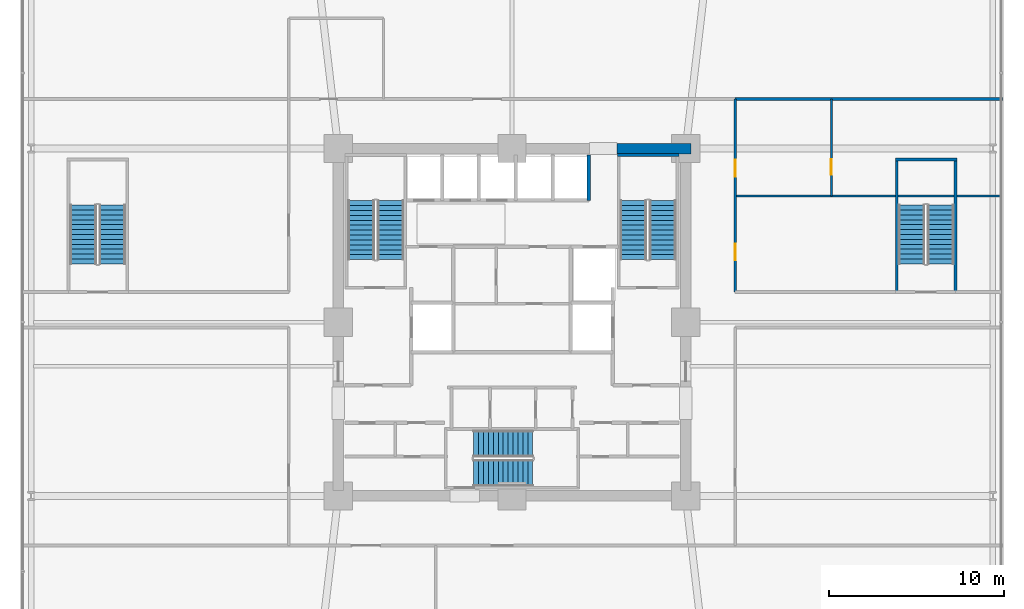
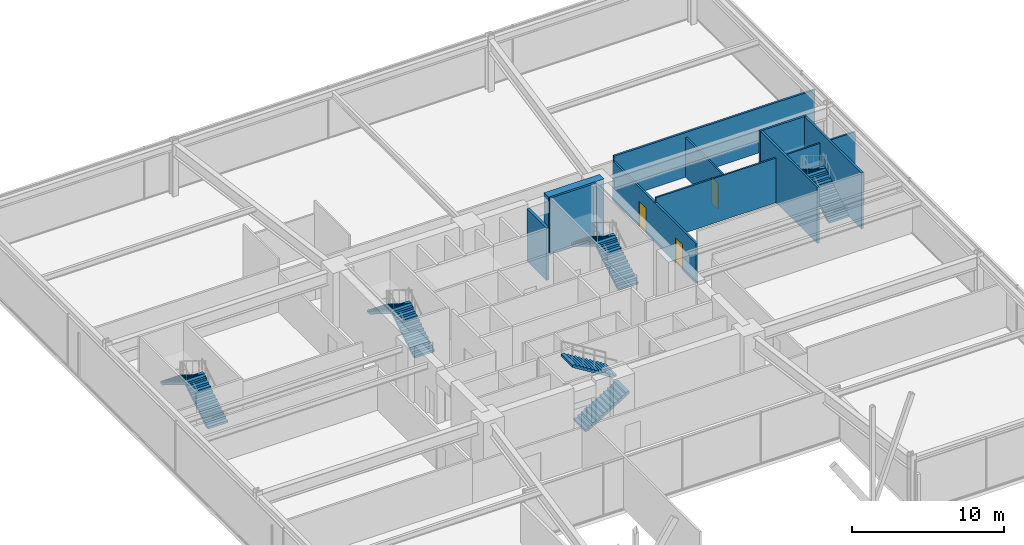
# One storey, part 43 of 47: 10 stair flights, 10 walls, 3 doors, 3 openings, 5 elements without a shape of their own.
"""IFC4 building model written with IfcOpenShell, lengths in metres."""

from ifc_helpers import new_model, si_unit, direction, frame, frame_2d, origin, place, context, subcontext, project, spatial, polyline, rectangle, outline, extrude, material, layer, layer_set, type_object, element, fill, aggregate, save


model = new_model("IFC4")

# Units and contexts
model_context = context("Model", 3, precision=1e-05, world=origin(), true_north=direction((0.0, 1.0)))
body_context = subcontext(model_context, "Body", "Model", "MODEL_VIEW")
ifc_project = project(units=[si_unit("LENGTHUNIT", "METRE"), si_unit("AREAUNIT", "SQUARE_METRE"), si_unit("VOLUMEUNIT", "CUBIC_METRE"), si_unit("PLANEANGLEUNIT", "RADIAN"), si_unit("MASSUNIT", "GRAM", prefix="KILO")], contexts=[model_context])

# Site, building, storey
site_placement = place(None, origin())
site = spatial("IfcSite", under=ifc_project, at=site_placement, CompositionType="ELEMENT")
building_placement = place(site_placement, origin())
building = spatial("IfcBuilding", under=site, at=building_placement, Name="Kolvaren Belvedere", CompositionType="ELEMENT")
storey_placement = place(building_placement, frame((0.0, 0.0, 5.5)))
storey = spatial("IfcBuildingStorey", under=building, at=storey_placement, Name="L02", CompositionType="ELEMENT", Elevation=5.5)

# Walls
ifc_material_1 = material(Name="Concrete C60/75", Category="concrete")
ifc_layer_1 = layer(ifc_material_1, 0.60009765625)
ifc_layer_set_1 = layer_set([ifc_layer_1], Name="Concrete C60/75")
wall_type_1 = type_object("IfcWallType", Name="CW-CORE-600", PredefinedType="SHEAR", material=ifc_layer_set_1)
wall_1_placement = place(storey_placement, frame((5.97998046875, 9.89990234375, 0.0), z_axis=(0.0, 0.0, 1.0), x_axis=(1.0, 0.0, 0.0)))
element("IfcWall", 1, at=wall_1_placement, inside=storey, type_object=wall_type_1, Name="L02 North Core Shear Wall 2", PredefinedType="SHEAR", context=body_context, shape_type="SweptSolid", body=[
    extrude(rectangle(XDim=4.219970703125, YDim=0.60009765625, at=frame_2d((2.10986328125, 0.0))), origin(), (0.0, 0.0, 1.0), 4.5),
])
ifc_material_2 = material(Name="Concrete C50/60", Category="concrete")
ifc_layer_2 = layer(ifc_material_2, 0.159912109375)
ifc_layer_set_2 = layer_set([ifc_layer_2], Name="Concrete C50/60")
wall_type_2 = type_object("IfcWallType", Name="CW-STAIR-160", PredefinedType="SHEAR", material=ifc_layer_set_2)
wall_2_placement = place(storey_placement, frame((6.0, 9.530029296875, 0.0), z_axis=(0.0, 0.0, 1.0), x_axis=(1.0, 0.0, 0.0)))
element("IfcWall", 2, at=wall_2_placement, inside=storey, type_object=wall_type_2, Name="L02 Stair ST-2 North Shear Wall", PredefinedType="SHEAR", context=body_context, shape_type="SweptSolid", body=[
    extrude(rectangle(XDim=3.52001953125, YDim=0.159912109375, at=frame_2d((1.760009765625, 0.0))), origin(), (0.0, 0.0, 1.0), 4.5),
])
wall_3_placement = place(storey_placement, frame((21.85009765625, 9.280029296875, 0.0), z_axis=(0.0, 0.0, 1.0), x_axis=(1.0, 0.0, 0.0)))
element("IfcWall", 3, at=wall_3_placement, inside=storey, type_object=wall_type_2, Name="L02 Stair ST-P2 North Shear Wall", PredefinedType="SHEAR", context=body_context, shape_type="SweptSolid", body=[
    extrude(rectangle(XDim=3.510009765625, YDim=0.159912109375, at=frame_2d((1.7548828125, 0.0))), origin(), (0.0, 0.0, 1.0), 4.5),
])
for number, where, z_axis, x_axis, name in (
    (4, (21.929931640625, 1.719970703125, 0.0), (0.0, 0.0, 1.0), (0.0, 1.0, 0.0), "L02 Stair ST-P2 West Shear Wall"),
    (5, (25.280029296875, 1.719970703125, 0.0), (0.0, 0.0, 1.0), (0.0, 1.0, 0.0), "L02 Stair ST-P2 East Shear Wall"),
):
    element("IfcWall", number, at=place(storey_placement, frame(where, z_axis=z_axis, x_axis=x_axis)), inside=storey, type_object=wall_type_2, Name=name, PredefinedType="SHEAR", context=body_context, shape_type="SweptSolid", body=[
        extrude(rectangle(XDim=7.56005859375, YDim=0.159912109375, at=frame_2d((3.780029296875, 0.0))), origin(), (0.0, 0.0, 1.0), 4.5),
    ])

# Wall, openings, doors
ifc_material_3 = material(Name="Gypsum fire-rated partition assembly", Category="gypsum")
ifc_layer_3 = layer(ifc_material_3, 0.14990234375)
ifc_layer_set_3 = layer_set([ifc_layer_3], Name="Gypsum fire-rated partition assembly")
wall_type_3 = type_object("IfcWallType", Name="WL-CORR-150", PredefinedType="PARTITIONING", material=ifc_layer_set_3)
wall_4_placement = place(storey_placement, frame((12.719970703125, 1.719970703125, 0.0), z_axis=(0.0, 0.0, 1.0), x_axis=(0.0, 1.0, 0.0)))
wall_4 = element("IfcWall", 6, at=wall_4_placement, inside=storey, type_object=wall_type_3, Name="L02 East Corridor Wall N", PredefinedType="PARTITIONING", context=body_context, shape_type="SweptSolid", body=[
    extrude(rectangle(XDim=11.0, YDim=0.14990234375, at=frame_2d((5.5, 0.0))), origin(), (0.0, 0.0, 1.0), 3.194091796875),
])
opening_1_placement = place(wall_4_placement, frame((6.580078125, 0.0, 0.0)))
opening_1 = element("IfcOpeningElement", 7, at=opening_1_placement, cuts=wall_4, Name="Opening D-INT95", PredefinedType="OPENING", context=body_context, shape_type="SweptSolid", body=[
    extrude(rectangle(XDim=0.949951171875, YDim=2.06005859375, at=frame_2d((0.47509765625, 1.030029296875))), frame((0.0, 0.0849609375, 0.0), z_axis=(0.0, -1.0, 0.0), x_axis=(1.0, 0.0, 0.0)), (0.0, 0.0, 1.0), 0.169921875),
])
opening_2_placement = place(wall_4_placement, frame((1.800048828125, 0.0, 0.0)))
opening_2 = element("IfcOpeningElement", 8, at=opening_2_placement, cuts=wall_4, Name="Opening D-INT95", PredefinedType="OPENING", context=body_context, shape_type="SweptSolid", body=[
    extrude(rectangle(XDim=0.949951171875, YDim=2.06005859375, at=frame_2d((0.47509765625, 1.030029296875))), frame((0.0, 0.0849609375, 0.0), z_axis=(0.0, -1.0, 0.0), x_axis=(1.0, 0.0, 0.0)), (0.0, 0.0, 1.0), 0.169921875),
])
ifc_material_4 = material(Name="Stained Pacific white oak", Category="timber")
door_type_1 = type_object("IfcDoorType", Name="DR-INT-950", OperationType="NOTDEFINED", PredefinedType="DOOR", material=ifc_material_4)
door_1_placement = place(opening_1_placement, origin())
door_1 = element("IfcDoor", 9, at=door_1_placement, inside=storey, type_object=door_type_1, Name="L02 Public Mezzanine Washroom Door", OperationType="SINGLE_SWING_RIGHT", OverallHeight=2.06005859375, OverallWidth=0.949951171875, PredefinedType="DOOR", context=body_context, shape_type="SweptSolid", body=[
    extrude(rectangle(XDim=0.949951171875, YDim=2.06005859375, at=frame_2d((0.47509765625, 1.030029296875))), frame((0.0, 0.02490234375, 0.0), z_axis=(0.0, -1.0, 0.0), x_axis=(1.0, 0.0, 0.0)), (0.0, 0.0, 1.0), 0.050048828125),
])
fill(opening_1, door_1)
door_2_placement = place(opening_2_placement, origin())
door_2 = element("IfcDoor", 10, at=door_2_placement, inside=storey, type_object=door_type_1, Name="L02 East Reception Lounge Door", OperationType="SINGLE_SWING_LEFT", OverallHeight=2.06005859375, OverallWidth=0.949951171875, PredefinedType="DOOR", context=body_context, shape_type="SweptSolid", body=[
    extrude(rectangle(XDim=0.949951171875, YDim=2.06005859375, at=frame_2d((0.47509765625, 1.030029296875))), frame((0.0, 0.02490234375, 0.0), z_axis=(0.0, -1.0, 0.0), x_axis=(1.0, 0.0, 0.0)), (0.0, 0.0, 1.0), 0.050048828125),
])
fill(opening_2, door_2)

# Walls
wall_5_placement = place(storey_placement, frame((12.719970703125, 12.719970703125, 0.0), z_axis=(0.0, 0.0, 1.0), x_axis=(1.0, 0.0, 0.0)))
element("IfcWall", 11, at=wall_5_placement, inside=storey, type_object=wall_type_3, Name="L02 Sector Wall PW-L02-QNE", PredefinedType="PARTITIONING", context=body_context, shape_type="SweptSolid", body=[
    extrude(rectangle(XDim=15.260009765625, YDim=0.14990234375, at=frame_2d((7.6298828125, 0.0))), origin(), (0.0, 0.0, 1.0), 3.589111328125),
])
ifc_material_5 = material(Name="Concrete C50/60", Category="concrete")
ifc_layer_4 = layer(ifc_material_5, 0.199951171875)
ifc_layer_set_4 = layer_set([ifc_layer_4], Name="Concrete C50/60")
wall_type_4 = type_object("IfcWallType", Name="WL-SHAFT-200", PredefinedType="SOLIDWALL", material=ifc_layer_set_4)
wall_6_placement = place(storey_placement, frame((4.3798828125, 6.949951171875, 0.0), z_axis=(0.0, 0.0, 1.0), x_axis=(0.0, 1.0, 0.0)))
element("IfcWall", 12, at=wall_6_placement, inside=storey, type_object=wall_type_4, Name="L02 Express Shuttle East Wall", PredefinedType="SOLIDWALL", context=body_context, shape_type="SweptSolid", body=[
    extrude(rectangle(XDim=2.570068359375, YDim=0.199951171875, at=frame_2d((1.28515625, 0.0))), origin(), (0.0, 0.0, 1.0), 4.219970703125),
])
ifc_material_6 = material(Name="Moisture-resistant gypsum partition", Category="gypsum")
ifc_layer_5 = layer(ifc_material_6, 0.125)
ifc_layer_set_5 = layer_set([ifc_layer_5], Name="Moisture-resistant gypsum partition")
wall_type_5 = type_object("IfcWallType", Name="WL-WET-125", PredefinedType="PARTITIONING", material=ifc_layer_set_5)
wall_7_placement = place(storey_placement, frame((12.719970703125, 7.199951171875, 0.0), z_axis=(0.0, 0.0, 1.0), x_axis=(1.0, 0.0, 0.0)))
element("IfcWall", 13, at=wall_7_placement, inside=storey, type_object=wall_type_5, Name="L02 East Washroom Wall", PredefinedType="PARTITIONING", context=body_context, shape_type="SweptSolid", body=[
    extrude(rectangle(XDim=15.159912109375, YDim=0.125, at=frame_2d((7.580078125, 0.0))), origin(), (0.0, 0.0, 1.0), 3.589111328125),
])

# Wall, opening, door
wall_8_placement = place(storey_placement, frame((18.199951171875, 7.199951171875, 0.0), z_axis=(0.0, 0.0, 1.0), x_axis=(0.0, 1.0, 0.0)))
wall_8 = element("IfcWall", 14, at=wall_8_placement, inside=storey, type_object=wall_type_5, Name="L02 East Washroom Back Wall", PredefinedType="PARTITIONING", context=body_context, shape_type="SweptSolid", body=[
    extrude(rectangle(XDim=5.52001953125, YDim=0.125, at=frame_2d((2.760009765625, 0.0))), origin(), (0.0, 0.0, 1.0), 3.194091796875),
])
opening_3_placement = place(wall_8_placement, frame((1.199951171875, 0.0, 0.0)))
opening_3 = element("IfcOpeningElement", 15, at=opening_3_placement, cuts=wall_8, Name="Opening D-INT90", PredefinedType="OPENING", context=body_context, shape_type="SweptSolid", body=[
    extrude(rectangle(XDim=0.89990234375, YDim=2.06005859375, at=frame_2d((0.449951171875, 1.030029296875))), frame((0.0, 0.072509765625, 0.0), z_axis=(0.0, -1.0, 0.0), x_axis=(1.0, 0.0, 0.0)), (0.0, 0.0, 1.0), 0.14501953125),
])
ifc_material_7 = material(Name="Stained Pacific white oak", Category="timber")
door_type_2 = type_object("IfcDoorType", Name="DR-INT-900", OperationType="NOTDEFINED", PredefinedType="DOOR", material=ifc_material_7)
door_3_placement = place(opening_3_placement, origin())
door_3 = element("IfcDoor", 16, at=door_3_placement, inside=storey, type_object=door_type_2, Name="L02 Hospitality Service Pantry Door", OperationType="SINGLE_SWING_LEFT", OverallHeight=2.06005859375, OverallWidth=0.89990234375, PredefinedType="DOOR", context=body_context, shape_type="SweptSolid", body=[
    extrude(rectangle(XDim=0.89990234375, YDim=2.06005859375, at=frame_2d((0.449951171875, 1.030029296875))), frame((0.0, 0.02490234375, 0.0), z_axis=(0.0, -1.0, 0.0), x_axis=(1.0, 0.0, 0.0)), (0.0, 0.0, 1.0), 0.050048828125),
])
fill(opening_3, door_3)

# Stair, stair flights
ifc_material_8 = material(Name="Concrete C50/60", Category="concrete")
stair_type_1 = type_object("IfcStairType", Name="ST-CORE-1520", PredefinedType="HALF_TURN_STAIR", material=ifc_material_8)
stair_1_placement = place(storey_placement, origin())
stair_1 = element("IfcStair", 17, at=stair_1_placement, inside=storey, type_object=stair_type_1, Name="L02 Protected Exit Stair ST-1", PredefinedType="HALF_TURN_STAIR")
ifc_material_9 = material(Name="Concrete C50/60", Category="concrete")
stair_flight_type = type_object("IfcStairFlightType", Name="SF-STR-1520", PredefinedType="STRAIGHT", material=ifc_material_9)
stair_flight_1_placement = place(storey_placement, frame((-6.919921875, 3.570068359375, 0.0), z_axis=(0.0, 0.0, 1.0), x_axis=(0.0, 1.0, 0.0)))
stair_flight_1 = element("IfcStairFlight", 18, at=stair_flight_1_placement, type_object=stair_flight_type, Name="ST-1 flight 1", NumberOfRisers=13, NumberOfTreads=12, PredefinedType="STRAIGHT", RiserHeight=0.173076923, TreadLength=0.28, context=body_context, shape_type="SweptSolid", body=[
    extrude(outline(polyline([(0.0, 0.0), (0.0, 0.173095703125), (0.280029296875, 0.173095703125), (0.280029296875, 0.34619140625), (0.56005859375, 0.34619140625), (0.56005859375, 0.519287109375), (0.840087890625, 0.519287109375), (0.840087890625, 0.6923828125), (1.1201171875, 0.6923828125), (1.1201171875, 0.865478515625), (1.39990234375, 0.865478515625), (1.39990234375, 1.03857421875), (1.679931640625, 1.03857421875), (1.679931640625, 1.21142578125), (1.9599609375, 1.21142578125), (1.9599609375, 1.384521484375), (2.239990234375, 1.384521484375), (2.239990234375, 1.5576171875), (2.52001953125, 1.5576171875), (2.52001953125, 1.730712890625), (2.800048828125, 1.730712890625), (2.800048828125, 1.90380859375), (3.080078125, 1.90380859375), (3.080078125, 2.076904296875), (3.360107421875, 2.076904296875), (3.360107421875, 2.25), (3.360107421875, 1.900634765625), (0.28515625, 0.0), (0.0, 0.0)])), frame((0.0, 0.760009765625, 0.0), z_axis=(0.0, -1.0, 0.0), x_axis=(1.0, 0.0, 0.0)), (0.0, 0.0, 1.0), 1.52001953125),
])
stair_flight_2_placement = place(storey_placement, frame((-8.590087890625, 6.929931640625, 2.25), z_axis=(0.0, 0.0, 1.0), x_axis=(0.0, -1.0, 0.0)))
stair_flight_2 = element("IfcStairFlight", 19, at=stair_flight_2_placement, type_object=stair_flight_type, Name="ST-1 flight 2", NumberOfRisers=13, NumberOfTreads=12, PredefinedType="STRAIGHT", RiserHeight=0.173076923, TreadLength=0.28, context=body_context, shape_type="SweptSolid", body=[
    extrude(outline(polyline([(0.0, 0.0), (0.0, 0.173095703125), (0.280029296875, 0.173095703125), (0.280029296875, 0.34619140625), (0.56005859375, 0.34619140625), (0.56005859375, 0.519287109375), (0.840087890625, 0.519287109375), (0.840087890625, 0.6923828125), (1.1201171875, 0.6923828125), (1.1201171875, 0.865478515625), (1.39990234375, 0.865478515625), (1.39990234375, 1.03857421875), (1.679931640625, 1.03857421875), (1.679931640625, 1.21142578125), (1.9599609375, 1.21142578125), (1.9599609375, 1.384521484375), (2.239990234375, 1.384521484375), (2.239990234375, 1.5576171875), (2.52001953125, 1.5576171875), (2.52001953125, 1.730712890625), (2.800048828125, 1.730712890625), (2.800048828125, 1.90380859375), (3.080078125, 1.90380859375), (3.080078125, 2.076904296875), (3.360107421875, 2.076904296875), (3.360107421875, 2.25), (3.360107421875, 1.900634765625), (0.28515625, 0.0), (0.0, 0.0)])), frame((0.0, 0.760009765625, 0.0), z_axis=(0.0, -1.0, 0.0), x_axis=(1.0, 0.0, 0.0)), (0.0, 0.0, 1.0), 1.52001953125),
])
aggregate(stair_1, [stair_flight_1, stair_flight_2])

stair_2_placement = place(storey_placement, origin())
stair_2 = element("IfcStair", 20, at=stair_2_placement, inside=storey, type_object=stair_type_1, Name="L02 Protected Exit Stair ST-2", PredefinedType="HALF_TURN_STAIR")
stair_flight_3_placement = place(storey_placement, frame((8.590087890625, 3.570068359375, 0.0), z_axis=(0.0, 0.0, 1.0), x_axis=(0.0, 1.0, 0.0)))
stair_flight_3 = element("IfcStairFlight", 21, at=stair_flight_3_placement, type_object=stair_flight_type, Name="ST-2 flight 1", NumberOfRisers=13, NumberOfTreads=12, PredefinedType="STRAIGHT", RiserHeight=0.173076923, TreadLength=0.28, context=body_context, shape_type="SweptSolid", body=[
    extrude(outline(polyline([(0.0, 0.0), (0.0, 0.173095703125), (0.280029296875, 0.173095703125), (0.280029296875, 0.34619140625), (0.56005859375, 0.34619140625), (0.56005859375, 0.519287109375), (0.840087890625, 0.519287109375), (0.840087890625, 0.6923828125), (1.1201171875, 0.6923828125), (1.1201171875, 0.865478515625), (1.39990234375, 0.865478515625), (1.39990234375, 1.03857421875), (1.679931640625, 1.03857421875), (1.679931640625, 1.21142578125), (1.9599609375, 1.21142578125), (1.9599609375, 1.384521484375), (2.239990234375, 1.384521484375), (2.239990234375, 1.5576171875), (2.52001953125, 1.5576171875), (2.52001953125, 1.730712890625), (2.800048828125, 1.730712890625), (2.800048828125, 1.90380859375), (3.080078125, 1.90380859375), (3.080078125, 2.076904296875), (3.360107421875, 2.076904296875), (3.360107421875, 2.25), (3.360107421875, 1.900634765625), (0.28515625, 0.0), (0.0, 0.0)])), frame((0.0, 0.760009765625, 0.0), z_axis=(0.0, -1.0, 0.0), x_axis=(1.0, 0.0, 0.0)), (0.0, 0.0, 1.0), 1.52001953125),
])
stair_flight_4_placement = place(storey_placement, frame((6.919921875, 6.929931640625, 2.25), z_axis=(0.0, 0.0, 1.0), x_axis=(0.0, -1.0, 0.0)))
stair_flight_4 = element("IfcStairFlight", 22, at=stair_flight_4_placement, type_object=stair_flight_type, Name="ST-2 flight 2", NumberOfRisers=13, NumberOfTreads=12, PredefinedType="STRAIGHT", RiserHeight=0.173076923, TreadLength=0.28, context=body_context, shape_type="SweptSolid", body=[
    extrude(outline(polyline([(0.0, 0.0), (0.0, 0.173095703125), (0.280029296875, 0.173095703125), (0.280029296875, 0.34619140625), (0.56005859375, 0.34619140625), (0.56005859375, 0.519287109375), (0.840087890625, 0.519287109375), (0.840087890625, 0.6923828125), (1.1201171875, 0.6923828125), (1.1201171875, 0.865478515625), (1.39990234375, 0.865478515625), (1.39990234375, 1.03857421875), (1.679931640625, 1.03857421875), (1.679931640625, 1.21142578125), (1.9599609375, 1.21142578125), (1.9599609375, 1.384521484375), (2.239990234375, 1.384521484375), (2.239990234375, 1.5576171875), (2.52001953125, 1.5576171875), (2.52001953125, 1.730712890625), (2.800048828125, 1.730712890625), (2.800048828125, 1.90380859375), (3.080078125, 1.90380859375), (3.080078125, 2.076904296875), (3.360107421875, 2.076904296875), (3.360107421875, 2.25), (3.360107421875, 1.900634765625), (0.28515625, 0.0), (0.0, 0.0)])), frame((0.0, 0.760009765625, 0.0), z_axis=(0.0, -1.0, 0.0), x_axis=(1.0, 0.0, 0.0)), (0.0, 0.0, 1.0), 1.52001953125),
])
aggregate(stair_2, [stair_flight_3, stair_flight_4])

stair_3_placement = place(storey_placement, origin())
stair_3 = element("IfcStair", 23, at=stair_3_placement, inside=storey, type_object=stair_type_1, Name="L02 Protected Exit Stair ST-3", PredefinedType="HALF_TURN_STAIR")
stair_flight_5_placement = place(storey_placement, frame((-2.179931640625, -8.590087890625, 0.0), z_axis=(0.0, 0.0, 1.0), x_axis=(1.0, 0.0, 0.0)))
stair_flight_5 = element("IfcStairFlight", 24, at=stair_flight_5_placement, type_object=stair_flight_type, Name="ST-3 flight 1", NumberOfRisers=13, NumberOfTreads=12, PredefinedType="STRAIGHT", RiserHeight=0.173076923, TreadLength=0.28, context=body_context, shape_type="SweptSolid", body=[
    extrude(outline(polyline([(0.0, 0.0), (0.0, 0.173095703125), (0.280029296875, 0.173095703125), (0.280029296875, 0.34619140625), (0.56005859375, 0.34619140625), (0.56005859375, 0.519287109375), (0.840087890625, 0.519287109375), (0.840087890625, 0.6923828125), (1.1201171875, 0.6923828125), (1.1201171875, 0.865478515625), (1.39990234375, 0.865478515625), (1.39990234375, 1.03857421875), (1.679931640625, 1.03857421875), (1.679931640625, 1.21142578125), (1.9599609375, 1.21142578125), (1.9599609375, 1.384521484375), (2.239990234375, 1.384521484375), (2.239990234375, 1.5576171875), (2.52001953125, 1.5576171875), (2.52001953125, 1.730712890625), (2.800048828125, 1.730712890625), (2.800048828125, 1.90380859375), (3.080078125, 1.90380859375), (3.080078125, 2.076904296875), (3.360107421875, 2.076904296875), (3.360107421875, 2.25), (3.360107421875, 1.900634765625), (0.28515625, 0.0), (0.0, 0.0)])), frame((0.0, 0.760009765625, 0.0), z_axis=(0.0, -1.0, 0.0), x_axis=(1.0, 0.0, 0.0)), (0.0, 0.0, 1.0), 1.52001953125),
])
stair_flight_6_placement = place(storey_placement, frame((1.179931640625, -6.919921875, 2.25), z_axis=(0.0, 0.0, 1.0), x_axis=(-1.0, 0.0, 0.0)))
stair_flight_6 = element("IfcStairFlight", 25, at=stair_flight_6_placement, type_object=stair_flight_type, Name="ST-3 flight 2", NumberOfRisers=13, NumberOfTreads=12, PredefinedType="STRAIGHT", RiserHeight=0.173076923, TreadLength=0.28, context=body_context, shape_type="SweptSolid", body=[
    extrude(outline(polyline([(0.0, 0.0), (0.0, 0.173095703125), (0.280029296875, 0.173095703125), (0.280029296875, 0.34619140625), (0.56005859375, 0.34619140625), (0.56005859375, 0.519287109375), (0.840087890625, 0.519287109375), (0.840087890625, 0.6923828125), (1.1201171875, 0.6923828125), (1.1201171875, 0.865478515625), (1.39990234375, 0.865478515625), (1.39990234375, 1.03857421875), (1.679931640625, 1.03857421875), (1.679931640625, 1.21142578125), (1.9599609375, 1.21142578125), (1.9599609375, 1.384521484375), (2.239990234375, 1.384521484375), (2.239990234375, 1.5576171875), (2.52001953125, 1.5576171875), (2.52001953125, 1.730712890625), (2.800048828125, 1.730712890625), (2.800048828125, 1.90380859375), (3.080078125, 1.90380859375), (3.080078125, 2.076904296875), (3.360107421875, 2.076904296875), (3.360107421875, 2.25), (3.360107421875, 1.900634765625), (0.28515625, 0.0), (0.0, 0.0)])), frame((0.0, 0.760009765625, 0.0), z_axis=(0.0, -1.0, 0.0), x_axis=(1.0, 0.0, 0.0)), (0.0, 0.0, 1.0), 1.52001953125),
])
aggregate(stair_3, [stair_flight_5, stair_flight_6])

ifc_material_10 = material(Name="Concrete C50/60", Category="concrete")
stair_type_2 = type_object("IfcStairType", Name="ST-POD-1520", PredefinedType="HALF_TURN_STAIR", material=ifc_material_10)
stair_4_placement = place(storey_placement, origin())
stair_4 = element("IfcStair", 26, at=stair_4_placement, inside=storey, type_object=stair_type_2, Name="L02 Podium Exit Stair ST-P1", PredefinedType="HALF_TURN_STAIR")
stair_flight_7_placement = place(storey_placement, frame((-22.77001953125, 3.320068359375, 0.0), z_axis=(0.0, 0.0, 1.0), x_axis=(0.0, 1.0, 0.0)))
stair_flight_7 = element("IfcStairFlight", 27, at=stair_flight_7_placement, type_object=stair_flight_type, Name="ST-P1 flight 1", NumberOfRisers=13, NumberOfTreads=12, PredefinedType="STRAIGHT", RiserHeight=0.173076923, TreadLength=0.28, context=body_context, shape_type="SweptSolid", body=[
    extrude(outline(polyline([(0.0, 0.0), (0.0, 0.173095703125), (0.280029296875, 0.173095703125), (0.280029296875, 0.34619140625), (0.56005859375, 0.34619140625), (0.56005859375, 0.519287109375), (0.840087890625, 0.519287109375), (0.840087890625, 0.6923828125), (1.1201171875, 0.6923828125), (1.1201171875, 0.865478515625), (1.39990234375, 0.865478515625), (1.39990234375, 1.03857421875), (1.679931640625, 1.03857421875), (1.679931640625, 1.21142578125), (1.9599609375, 1.21142578125), (1.9599609375, 1.384521484375), (2.239990234375, 1.384521484375), (2.239990234375, 1.5576171875), (2.52001953125, 1.5576171875), (2.52001953125, 1.730712890625), (2.800048828125, 1.730712890625), (2.800048828125, 1.90380859375), (3.080078125, 1.90380859375), (3.080078125, 2.076904296875), (3.360107421875, 2.076904296875), (3.360107421875, 2.25), (3.360107421875, 1.900634765625), (0.28515625, 0.0), (0.0, 0.0)])), frame((0.0, 0.760009765625, 0.0), z_axis=(0.0, -1.0, 0.0), x_axis=(1.0, 0.0, 0.0)), (0.0, 0.0, 1.0), 1.52001953125),
])
stair_flight_8_placement = place(storey_placement, frame((-24.43994140625, 6.679931640625, 2.25), z_axis=(0.0, 0.0, 1.0), x_axis=(0.0, -1.0, 0.0)))
stair_flight_8 = element("IfcStairFlight", 28, at=stair_flight_8_placement, type_object=stair_flight_type, Name="ST-P1 flight 2", NumberOfRisers=13, NumberOfTreads=12, PredefinedType="STRAIGHT", RiserHeight=0.173076923, TreadLength=0.28, context=body_context, shape_type="SweptSolid", body=[
    extrude(outline(polyline([(0.0, 0.0), (0.0, 0.173095703125), (0.280029296875, 0.173095703125), (0.280029296875, 0.34619140625), (0.56005859375, 0.34619140625), (0.56005859375, 0.519287109375), (0.840087890625, 0.519287109375), (0.840087890625, 0.6923828125), (1.1201171875, 0.6923828125), (1.1201171875, 0.865478515625), (1.39990234375, 0.865478515625), (1.39990234375, 1.03857421875), (1.679931640625, 1.03857421875), (1.679931640625, 1.21142578125), (1.9599609375, 1.21142578125), (1.9599609375, 1.384521484375), (2.239990234375, 1.384521484375), (2.239990234375, 1.5576171875), (2.52001953125, 1.5576171875), (2.52001953125, 1.730712890625), (2.800048828125, 1.730712890625), (2.800048828125, 1.90380859375), (3.080078125, 1.90380859375), (3.080078125, 2.076904296875), (3.360107421875, 2.076904296875), (3.360107421875, 2.25), (3.360107421875, 1.900634765625), (0.28515625, 0.0), (0.0, 0.0)])), frame((0.0, 0.760009765625, 0.0), z_axis=(0.0, -1.0, 0.0), x_axis=(1.0, 0.0, 0.0)), (0.0, 0.0, 1.0), 1.52001953125),
])
aggregate(stair_4, [stair_flight_7, stair_flight_8])

stair_5_placement = place(storey_placement, origin())
stair_5 = element("IfcStair", 29, at=stair_5_placement, inside=storey, type_object=stair_type_2, Name="L02 Podium Exit Stair ST-P2", PredefinedType="HALF_TURN_STAIR")
stair_flight_9_placement = place(storey_placement, frame((24.43994140625, 3.320068359375, 0.0), z_axis=(0.0, 0.0, 1.0), x_axis=(0.0, 1.0, 0.0)))
stair_flight_9 = element("IfcStairFlight", 30, at=stair_flight_9_placement, type_object=stair_flight_type, Name="ST-P2 flight 1", NumberOfRisers=13, NumberOfTreads=12, PredefinedType="STRAIGHT", RiserHeight=0.173076923, TreadLength=0.28, context=body_context, shape_type="SweptSolid", body=[
    extrude(outline(polyline([(0.0, 0.0), (0.0, 0.173095703125), (0.280029296875, 0.173095703125), (0.280029296875, 0.34619140625), (0.56005859375, 0.34619140625), (0.56005859375, 0.519287109375), (0.840087890625, 0.519287109375), (0.840087890625, 0.6923828125), (1.1201171875, 0.6923828125), (1.1201171875, 0.865478515625), (1.39990234375, 0.865478515625), (1.39990234375, 1.03857421875), (1.679931640625, 1.03857421875), (1.679931640625, 1.21142578125), (1.9599609375, 1.21142578125), (1.9599609375, 1.384521484375), (2.239990234375, 1.384521484375), (2.239990234375, 1.5576171875), (2.52001953125, 1.5576171875), (2.52001953125, 1.730712890625), (2.800048828125, 1.730712890625), (2.800048828125, 1.90380859375), (3.080078125, 1.90380859375), (3.080078125, 2.076904296875), (3.360107421875, 2.076904296875), (3.360107421875, 2.25), (3.360107421875, 1.900634765625), (0.28515625, 0.0), (0.0, 0.0)])), frame((0.0, 0.760009765625, 0.0), z_axis=(0.0, -1.0, 0.0), x_axis=(1.0, 0.0, 0.0)), (0.0, 0.0, 1.0), 1.52001953125),
])
stair_flight_10_placement = place(storey_placement, frame((22.77001953125, 6.679931640625, 2.25), z_axis=(0.0, 0.0, 1.0), x_axis=(0.0, -1.0, 0.0)))
stair_flight_10 = element("IfcStairFlight", 31, at=stair_flight_10_placement, type_object=stair_flight_type, Name="ST-P2 flight 2", NumberOfRisers=13, NumberOfTreads=12, PredefinedType="STRAIGHT", RiserHeight=0.173076923, TreadLength=0.28, context=body_context, shape_type="SweptSolid", body=[
    extrude(outline(polyline([(0.0, 0.0), (0.0, 0.173095703125), (0.280029296875, 0.173095703125), (0.280029296875, 0.34619140625), (0.56005859375, 0.34619140625), (0.56005859375, 0.519287109375), (0.840087890625, 0.519287109375), (0.840087890625, 0.6923828125), (1.1201171875, 0.6923828125), (1.1201171875, 0.865478515625), (1.39990234375, 0.865478515625), (1.39990234375, 1.03857421875), (1.679931640625, 1.03857421875), (1.679931640625, 1.21142578125), (1.9599609375, 1.21142578125), (1.9599609375, 1.384521484375), (2.239990234375, 1.384521484375), (2.239990234375, 1.5576171875), (2.52001953125, 1.5576171875), (2.52001953125, 1.730712890625), (2.800048828125, 1.730712890625), (2.800048828125, 1.90380859375), (3.080078125, 1.90380859375), (3.080078125, 2.076904296875), (3.360107421875, 2.076904296875), (3.360107421875, 2.25), (3.360107421875, 1.900634765625), (0.28515625, 0.0), (0.0, 0.0)])), frame((0.0, 0.760009765625, 0.0), z_axis=(0.0, -1.0, 0.0), x_axis=(1.0, 0.0, 0.0)), (0.0, 0.0, 1.0), 1.52001953125),
])
aggregate(stair_5, [stair_flight_9, stair_flight_10])

save(model, "model.ifc")
